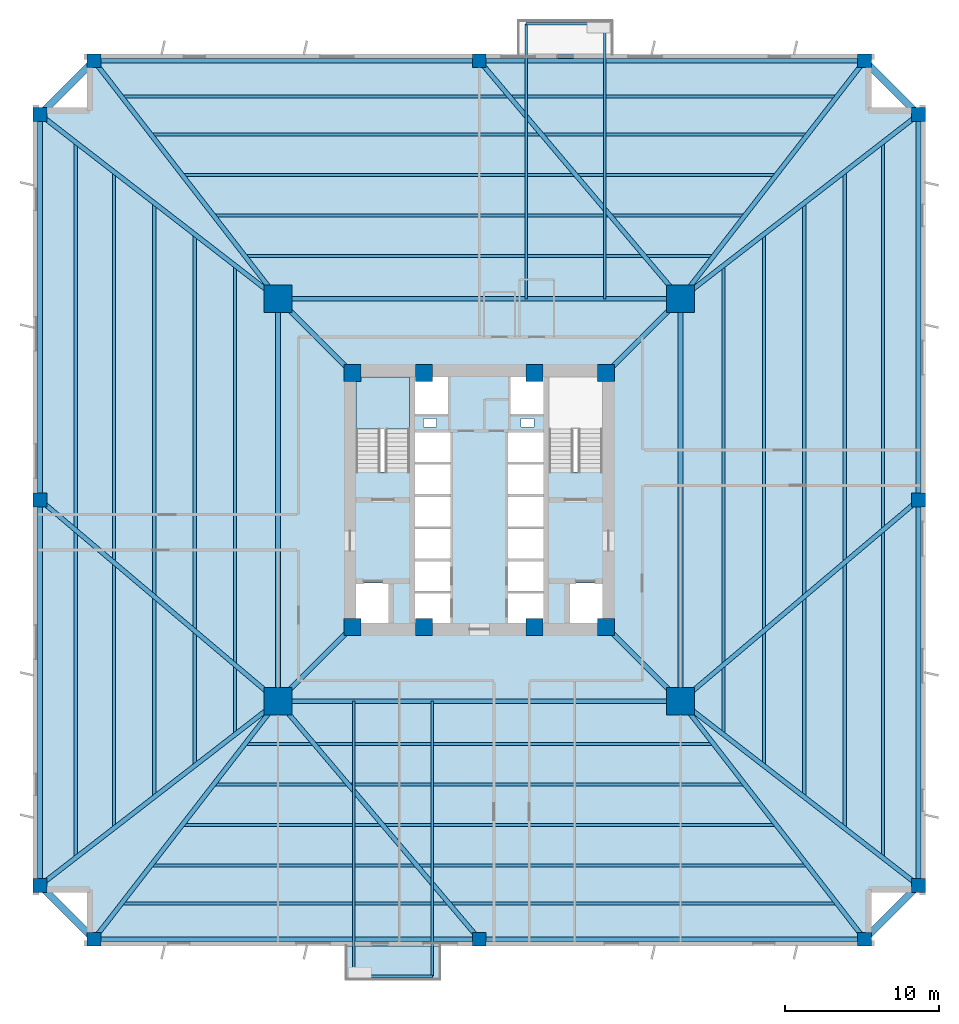
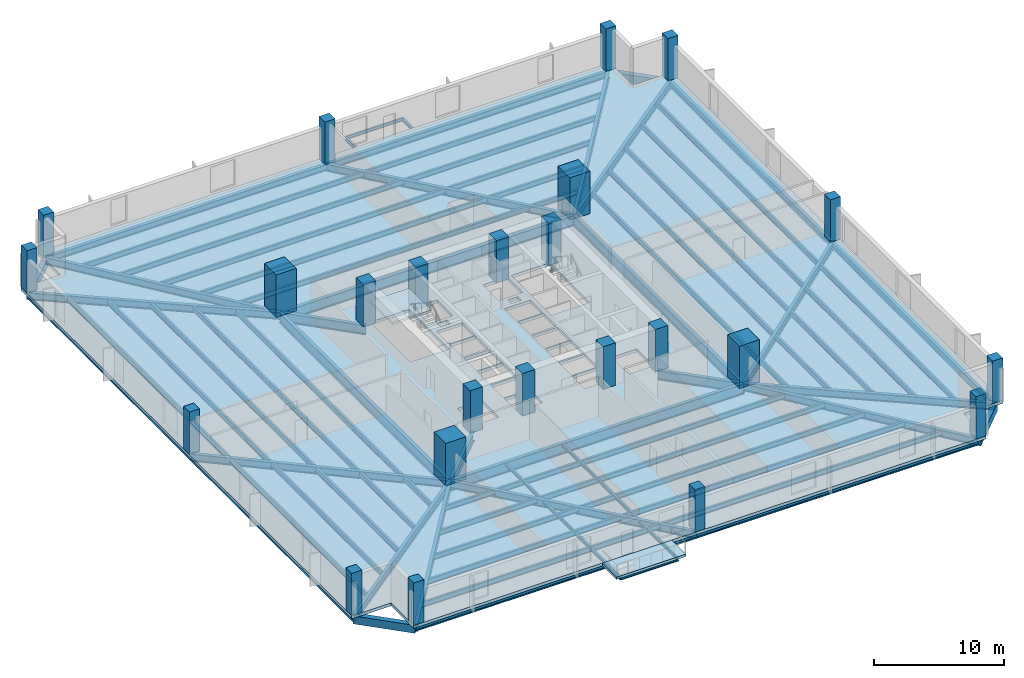
# One storey, part 1 of 8: 58 beams, 24 columns, 3 slabs, 1 element without a shape of its own.
"""IFC4 building model written with IfcOpenShell, lengths in metres."""

from ifc_helpers import new_model, si_unit, direction, frame, origin, origin_2d, place, context, subcontext, project, spatial, polyline, rectangle, i_section, outline, extrude, source, transform, mapped, material, layer, layer_set, material_profile, profile_set, type_object, element, aggregate, save


model = new_model("IFC4")

# Units and contexts
model_context = context("Model", 3, precision=1e-05, world=origin(), true_north=direction((0.0, 1.0)))
body_context = subcontext(model_context, "Body", "Model", "MODEL_VIEW")
ifc_project = project(units=[si_unit("LENGTHUNIT", "METRE"), si_unit("AREAUNIT", "SQUARE_METRE"), si_unit("VOLUMEUNIT", "CUBIC_METRE"), si_unit("PLANEANGLEUNIT", "RADIAN"), si_unit("MASSUNIT", "GRAM", prefix="KILO"), si_unit("THERMODYNAMICTEMPERATUREUNIT", "KELVIN")], contexts=[model_context])

# Site, building, storey
site_placement = place(None, origin())
site = spatial("IfcSite", under=ifc_project, at=site_placement, CompositionType="ELEMENT")
building_placement = place(site_placement, origin())
building = spatial("IfcBuilding", under=site, at=building_placement, Name="Kosmvard Interchange Tower", CompositionType="ELEMENT")
storey_placement = place(building_placement, frame((0.0, 0.0, 54.0)))
storey = spatial("IfcBuildingStorey", under=building, at=storey_placement, Name="L12", CompositionType="ELEMENT", Elevation=54.0)

# Columns
ifc_material_1 = material(Name="Concrete C80/95", Category="concrete")
ifc_material_profile_1 = material_profile(ifc_material_1, rectangle(XDim=1.10009765625, YDim=1.10009765625, at=origin_2d()), Name="CP 1100x1100")
ifc_profile_set_1 = profile_set([ifc_material_profile_1], Name="Concrete C80/95")
column_type_1 = type_object("IfcColumnType", Name="Core Boundary Pilaster 1100x1100 C80/95", PredefinedType="PILASTER", material=ifc_profile_set_1)
shared_shape_1 = source(origin(), body_context, "Body", "SweptSolid", [
    extrude(rectangle(XDim=1.10009765625, YDim=1.10009765625, at=origin_2d()), origin(), (0.0, 0.0, 1.0), 4.0),
])
for number, where, z_axis, x_axis, name in (
    (1, (-8.25, -8.25, 0.0), (0.0, 0.0, 1.0), (1.0, 0.0, 0.0), "L12 Core Pilaster CP1"),
    (2, (8.25, -8.25, 0.0), (0.0, 0.0, 1.0), (1.0, 0.0, 0.0), "L12 Core Pilaster CP2"),
    (3, (8.25, 8.25, 0.0), (0.0, 0.0, 1.0), (1.0, 0.0, 0.0), "L12 Core Pilaster CP3"),
    (4, (-8.25, 8.25, 0.0), (0.0, 0.0, 1.0), (1.0, 0.0, 0.0), "L12 Core Pilaster CP4"),
    (5, (-3.60009765625, -8.25, 0.0), (0.0, 0.0, 1.0), (1.0, 0.0, 0.0), "L12 Core Pilaster CP5"),
    (6, (3.60009765625, -8.25, 0.0), (0.0, 0.0, 1.0), (1.0, 0.0, 0.0), "L12 Core Pilaster CP6"),
    (7, (-3.60009765625, 8.25, 0.0), (0.0, 0.0, 1.0), (1.0, 0.0, 0.0), "L12 Core Pilaster CP7"),
    (8, (3.60009765625, 8.25, 0.0), (0.0, 0.0, 1.0), (1.0, 0.0, 0.0), "L12 Core Pilaster CP8"),
):
    element("IfcColumn", number, at=place(storey_placement, frame(where, z_axis=z_axis, x_axis=x_axis)), inside=storey, type_object=column_type_1, Name=name, PredefinedType="PILASTER", context=body_context, shape_type="MappedRepresentation", body=[
        mapped(shared_shape_1, transform((0.0, 0.0, 0.0), scale=1.0)),
    ])
ifc_material_profile_2 = material_profile(ifc_material_1, rectangle(XDim=1.800048828125, YDim=1.800048828125, at=origin_2d()), Name="MC 1800x1800")
ifc_profile_set_2 = profile_set([ifc_material_profile_2], Name="Concrete C80/95")
column_type_2 = type_object("IfcColumnType", Name="Composite Mega-Column 1800x1800 C80/95", PredefinedType="COLUMN", material=ifc_profile_set_2)
shared_shape_2 = source(origin(), body_context, "Body", "SweptSolid", [
    extrude(rectangle(XDim=1.800048828125, YDim=1.800048828125, at=origin_2d()), origin(), (0.0, 0.0, 1.0), 4.0),
])
for number, where, z_axis, x_axis, name in (
    (9, (-13.0810546875, -13.0810546875, 0.0), (0.0, 0.0, 1.0), (1.0, 0.0, 0.0), "L12 Corner Mega-Column MC1"),
    (10, (13.0810546875, -13.0810546875, 0.0), (0.0, 0.0, 1.0), (1.0, 0.0, 0.0), "L12 Corner Mega-Column MC2"),
    (11, (13.0810546875, 13.0810546875, 0.0), (0.0, 0.0, 1.0), (1.0, 0.0, 0.0), "L12 Corner Mega-Column MC3"),
    (12, (-13.0810546875, 13.0810546875, 0.0), (0.0, 0.0, 1.0), (1.0, 0.0, 0.0), "L12 Corner Mega-Column MC4"),
):
    element("IfcColumn", number, at=place(storey_placement, frame(where, z_axis=z_axis, x_axis=x_axis)), inside=storey, type_object=column_type_2, Name=name, PredefinedType="COLUMN", context=body_context, shape_type="MappedRepresentation", body=[
        mapped(shared_shape_2, transform((0.0, 0.0, 0.0), scale=1.0)),
    ])
ifc_material_2 = material(Name="Concrete C60/75", Category="concrete")
ifc_material_profile_3 = material_profile(ifc_material_2, rectangle(XDim=0.89990234375, YDim=0.89990234375, at=origin_2d()), Name="TC 900x900")
ifc_profile_set_3 = profile_set([ifc_material_profile_3], Name="Concrete C60/75")
column_type_3 = type_object("IfcColumnType", Name="Zone 1 Perimeter Pier Column 900x900 C60/75", PredefinedType="COLUMN", material=ifc_profile_set_3)
shared_shape_3 = source(origin(), body_context, "Body", "SweptSolid", [
    extrude(rectangle(XDim=0.89990234375, YDim=0.89990234375, at=origin_2d()), origin(), (0.0, 0.0, 1.0), 4.0),
])
for number, where, z_axis, x_axis, name in (
    (13, (-25.050048828125, -28.550048828125, 0.0), (0.0, 0.0, 1.0), (1.0, 0.0, 0.0), "L12 Perimeter Pier Column TC-S1"),
    (14, (0.0, -28.550048828125, 0.0), (0.0, 0.0, 1.0), (1.0, 0.0, 0.0), "L12 Perimeter Pier Column TC-S2"),
    (15, (25.050048828125, -28.550048828125, 0.0), (0.0, 0.0, 1.0), (1.0, 0.0, 0.0), "L12 Perimeter Pier Column TC-S3"),
    (16, (28.550048828125, -25.050048828125, 0.0), (0.0, 0.0, 1.0), (1.0, 0.0, 0.0), "L12 Perimeter Pier Column TC-E1"),
    (17, (28.550048828125, 0.0, 0.0), (0.0, 0.0, 1.0), (1.0, 0.0, 0.0), "L12 Perimeter Pier Column TC-E2"),
    (18, (28.550048828125, 25.050048828125, 0.0), (0.0, 0.0, 1.0), (1.0, 0.0, 0.0), "L12 Perimeter Pier Column TC-E3"),
    (19, (25.050048828125, 28.550048828125, 0.0), (0.0, 0.0, 1.0), (1.0, 0.0, 0.0), "L12 Perimeter Pier Column TC-N1"),
    (20, (0.0, 28.550048828125, 0.0), (0.0, 0.0, 1.0), (1.0, 0.0, 0.0), "L12 Perimeter Pier Column TC-N2"),
    (21, (-25.050048828125, 28.550048828125, 0.0), (0.0, 0.0, 1.0), (1.0, 0.0, 0.0), "L12 Perimeter Pier Column TC-N3"),
    (22, (-28.550048828125, 25.050048828125, 0.0), (0.0, 0.0, 1.0), (1.0, 0.0, 0.0), "L12 Perimeter Pier Column TC-W1"),
    (23, (-28.550048828125, 0.0, 0.0), (0.0, 0.0, 1.0), (1.0, 0.0, 0.0), "L12 Perimeter Pier Column TC-W2"),
    (24, (-28.550048828125, -25.050048828125, 0.0), (0.0, 0.0, 1.0), (1.0, 0.0, 0.0), "L12 Perimeter Pier Column TC-W3"),
):
    element("IfcColumn", number, at=place(storey_placement, frame(where, z_axis=z_axis, x_axis=x_axis)), inside=storey, type_object=column_type_3, Name=name, PredefinedType="COLUMN", context=body_context, shape_type="MappedRepresentation", body=[
        mapped(shared_shape_3, transform((0.0, 0.0, 0.0), scale=1.0)),
    ])

# Beams
ifc_material_3 = material(Name="Steel S460", Category="steel")
ifc_material_profile_4 = material_profile(ifc_material_3, i_section(OverallWidth=0.30810546875, OverallDepth=0.909912109375, WebThickness=0.02099609375, FlangeThickness=0.0400390625, FilletRadius=0.027099609375, at=origin_2d()), Name="HEM 900")
ifc_profile_set_4 = profile_set([ifc_material_profile_4], Name="Steel S460")
beam_type_1 = type_object("IfcBeamType", Name="Primary Mega-Frame Girder HEM 900 S460", PredefinedType="BEAM", material=ifc_profile_set_4)
shared_shape_4 = source(origin(), body_context, "Body", "SweptSolid", [
    extrude(i_section(OverallWidth=0.30810546875, OverallDepth=0.909912109375, WebThickness=0.02099609375, FlangeThickness=0.0400390625, FilletRadius=0.027099609375, at=origin_2d()), origin(), (0.0, 0.0, 1.0), 6.83203125),
])
for number, where, z_axis, x_axis, name in (
    (25, (-8.25, -8.25, -0.735107421875), (-0.707106781187, -0.707106781187, 0.0), (0.707106781187, -0.707106781187, 0.0), "L12 Radial Mega-Frame Girder 1"),
    (26, (8.25, -8.25, -0.735107421875), (0.707106781187, -0.707106781187, 0.0), (0.707106781187, 0.707106781187, 0.0), "L12 Radial Mega-Frame Girder 2"),
    (27, (8.25, 8.25, -0.735107421875), (0.707106781187, 0.707106781187, 0.0), (-0.707106781187, 0.707106781187, 0.0), "L12 Radial Mega-Frame Girder 3"),
    (28, (-8.25, 8.25, -0.735107421875), (-0.707106781187, 0.707106781187, 0.0), (-0.707106781187, -0.707106781187, 0.0), "L12 Radial Mega-Frame Girder 4"),
):
    element("IfcBeam", number, at=place(storey_placement, frame(where, z_axis=z_axis, x_axis=x_axis)), inside=storey, type_object=beam_type_1, Name=name, PredefinedType="BEAM", context=body_context, shape_type="MappedRepresentation", body=[
        mapped(shared_shape_4, transform((0.0, 0.0, 0.0), scale=1.0)),
    ])
ifc_material_profile_5 = material_profile(ifc_material_3, i_section(OverallWidth=0.30908203125, OverallDepth=1.008056640625, WebThickness=0.02099609375, FlangeThickness=0.0400390625, FilletRadius=0.030029296875, at=origin_2d()), Name="HEM 1000")
ifc_profile_set_5 = profile_set([ifc_material_profile_5], Name="Steel S460")
beam_type_2 = type_object("IfcBeamType", Name="Mega-Column Ring Girder HEM 1000 S460", PredefinedType="BEAM", material=ifc_profile_set_5)
shared_shape_5 = source(origin(), body_context, "Body", "SweptSolid", [
    extrude(i_section(OverallWidth=0.30908203125, OverallDepth=1.008056640625, WebThickness=0.02099609375, FlangeThickness=0.0400390625, FilletRadius=0.030029296875, at=origin_2d()), origin(), (0.0, 0.0, 1.0), 26.162109375),
])
for number, where, z_axis, x_axis, name in (
    (29, (-13.0810546875, -13.0810546875, -0.783935546875), (1.0, 0.0, 0.0), (0.0, 1.0, 0.0), "L12 Mega-Column Ring Girder 1"),
    (30, (13.0810546875, -13.0810546875, -0.783935546875), (0.0, 1.0, 0.0), (-1.0, 0.0, 0.0), "L12 Mega-Column Ring Girder 2"),
    (31, (13.0810546875, 13.0810546875, -0.783935546875), (-1.0, 0.0, 0.0), (0.0, -1.0, 0.0), "L12 Mega-Column Ring Girder 3"),
    (32, (-13.0810546875, 13.0810546875, -0.783935546875), (0.0, -1.0, 0.0), (1.0, 0.0, 0.0), "L12 Mega-Column Ring Girder 4"),
):
    element("IfcBeam", number, at=place(storey_placement, frame(where, z_axis=z_axis, x_axis=x_axis)), inside=storey, type_object=beam_type_2, Name=name, PredefinedType="BEAM", context=body_context, shape_type="MappedRepresentation", body=[
        mapped(shared_shape_5, transform((0.0, 0.0, 0.0), scale=1.0)),
    ])
ifc_material_4 = material(Name="Steel S355", Category="steel")
ifc_material_profile_6 = material_profile(ifc_material_4, i_section(OverallWidth=0.159912109375, OverallDepth=0.330078125, WebThickness=0.007568359375, FlangeThickness=0.011474609375, FilletRadius=0.01806640625, at=origin_2d()), Name="IPE 330")
ifc_profile_set_6 = profile_set([ifc_material_profile_6], Name="Steel S355")
beam_type_3 = type_object("IfcBeamType", Name="Balcony Cantilever Joist IPE 330 S355", PredefinedType="JOIST", material=ifc_profile_set_6)
shared_shape_6 = source(origin(), body_context, "Body", "SweptSolid", [
    extrude(i_section(OverallWidth=0.159912109375, OverallDepth=0.330078125, WebThickness=0.007568359375, FlangeThickness=0.011474609375, FilletRadius=0.01806640625, at=origin_2d()), origin(), (0.0, 0.0, 1.0), 17.868896484375),
])
for number, where, z_axis, x_axis, name in (
    (33, (8.14990234375, 13.0810546875, -0.445068359375), (0.0, 1.0, 0.0), (-1.0, 0.0, 0.0), "BM-L12-BJ1"),
    (34, (3.050048828125, 13.0810546875, -0.445068359375), (0.0, 1.0, 0.0), (-1.0, 0.0, 0.0), "BM-L12-BJB1"),
    (35, (-8.14990234375, -13.0810546875, -0.445068359375), (0.0, -1.0, 0.0), (1.0, 0.0, 0.0), "BM-L12-BJ2"),
    (36, (-3.050048828125, -13.0810546875, -0.445068359375), (0.0, -1.0, 0.0), (1.0, 0.0, 0.0), "BM-L12-BJB2"),
):
    element("IfcBeam", number, at=place(storey_placement, frame(where, z_axis=z_axis, x_axis=x_axis)), inside=storey, type_object=beam_type_3, Name=name, PredefinedType="JOIST", context=body_context, shape_type="MappedRepresentation", body=[
        mapped(shared_shape_6, transform((0.0, 0.0, 0.0), scale=1.0)),
    ])
ifc_material_profile_7 = material_profile(ifc_material_4, i_section(OverallWidth=0.14990234375, OverallDepth=0.300048828125, WebThickness=0.007080078125, FlangeThickness=0.0107421875, FilletRadius=0.014892578125, at=origin_2d()), Name="IPE 300")
ifc_profile_set_7 = profile_set([ifc_material_profile_7], Name="Steel S355")
beam_type_4 = type_object("IfcBeamType", Name="Balcony Edge Header Joist IPE 300 S355", PredefinedType="JOIST", material=ifc_profile_set_7)
shared_shape_7 = source(origin(), body_context, "Body", "SweptSolid", [
    extrude(i_section(OverallWidth=0.14990234375, OverallDepth=0.300048828125, WebThickness=0.007080078125, FlangeThickness=0.0107421875, FilletRadius=0.014892578125, at=origin_2d()), origin(), (0.0, 0.0, 1.0), 5.099853515625),
])
for number, where, z_axis, x_axis, name in (
    (37, (8.14990234375, 30.949951171875, -0.429931640625), (-1.0, 0.0, 0.0), (0.0, -1.0, 0.0), "BM-L12-BJH1"),
    (38, (-8.14990234375, -30.949951171875, -0.429931640625), (1.0, 0.0, 0.0), (0.0, 1.0, 0.0), "BM-L12-BJH2"),
):
    element("IfcBeam", number, at=place(storey_placement, frame(where, z_axis=z_axis, x_axis=x_axis)), inside=storey, type_object=beam_type_4, Name=name, PredefinedType="JOIST", context=body_context, shape_type="MappedRepresentation", body=[
        mapped(shared_shape_7, transform((0.0, 0.0, 0.0), scale=1.0)),
    ])
ifc_material_profile_8 = material_profile(ifc_material_4, i_section(OverallWidth=0.300048828125, OverallDepth=0.60009765625, WebThickness=0.015380859375, FlangeThickness=0.030029296875, FilletRadius=0.027099609375, at=origin_2d()), Name="HEB 600")
ifc_profile_set_8 = profile_set([ifc_material_profile_8], Name="Steel S355")
beam_type_5 = type_object("IfcBeamType", Name="Perimeter Tie Girder HEB 600 S355", PredefinedType="BEAM", material=ifc_profile_set_8)
shared_shape_8 = source(origin(), body_context, "Body", "SweptSolid", [
    extrude(i_section(OverallWidth=0.300048828125, OverallDepth=0.60009765625, WebThickness=0.015380859375, FlangeThickness=0.030029296875, FilletRadius=0.027099609375, at=origin_2d()), origin(), (0.0, 0.0, 1.0), 25.050048828125),
])
for number, where, z_axis, x_axis, name in (
    (39, (-25.050048828125, -28.550048828125, -0.580078125), (1.0, 0.0, 0.0), (0.0, 1.0, 0.0), "BM-L12-PR01"),
    (40, (0.0, -28.550048828125, -0.580078125), (1.0, 0.0, 0.0), (0.0, 1.0, 0.0), "BM-L12-PR02"),
    (41, (28.550048828125, -25.050048828125, -0.580078125), (0.0, 1.0, 0.0), (-1.0, 0.0, 0.0), "BM-L12-PR04"),
    (42, (28.550048828125, 0.0, -0.580078125), (0.0, 1.0, 0.0), (-1.0, 0.0, 0.0), "BM-L12-PR05"),
    (43, (25.050048828125, 28.550048828125, -0.580078125), (-1.0, 0.0, 0.0), (0.0, -1.0, 0.0), "BM-L12-PR07"),
    (44, (0.0, 28.550048828125, -0.580078125), (-1.0, 0.0, 0.0), (0.0, -1.0, 0.0), "BM-L12-PR08"),
    (45, (-28.550048828125, 25.050048828125, -0.580078125), (0.0, -1.0, 0.0), (1.0, 0.0, 0.0), "BM-L12-PR10"),
    (46, (-28.550048828125, 0.0, -0.580078125), (0.0, -1.0, 0.0), (1.0, 0.0, 0.0), "BM-L12-PR11"),
):
    element("IfcBeam", number, at=place(storey_placement, frame(where, z_axis=z_axis, x_axis=x_axis)), inside=storey, type_object=beam_type_5, Name=name, PredefinedType="BEAM", context=body_context, shape_type="MappedRepresentation", body=[
        mapped(shared_shape_8, transform((0.0, 0.0, 0.0), scale=1.0)),
    ])
ifc_material_profile_9 = material_profile(ifc_material_4, i_section(OverallWidth=0.300048828125, OverallDepth=0.699951171875, WebThickness=0.01708984375, FlangeThickness=0.031982421875, FilletRadius=0.027099609375, at=origin_2d()), Name="HEB 700")
ifc_profile_set_9 = profile_set([ifc_material_profile_9], Name="Steel S355")
beam_type_6 = type_object("IfcBeamType", Name="Primary Floor Girder HEB 700 S355", PredefinedType="BEAM", material=ifc_profile_set_9)
shared_shape_9 = source(origin(), body_context, "Body", "SweptSolid", [
    extrude(i_section(OverallWidth=0.300048828125, OverallDepth=0.699951171875, WebThickness=0.01708984375, FlangeThickness=0.031982421875, FilletRadius=0.027099609375, at=origin_2d()), origin(), (0.0, 0.0, 1.0), 19.558837890625),
])
for number, where, z_axis, x_axis, name in (
    (47, (-13.0810546875, -13.0810546875, -0.6298828125), (-0.611949354357, -0.79089695138, 0.0), (0.79089695138, -0.611949354357, 0.0), "BM-L12-RD01"),
    (48, (13.0810546875, -13.0810546875, -0.6298828125), (0.611949354357, -0.79089695138, 0.0), (0.79089695138, 0.611949354357, 0.0), "BM-L12-RD03"),
    (49, (13.0810546875, -13.0810546875, -0.6298828125), (0.79089695138, -0.611949354357, 0.0), (0.611949354357, 0.79089695138, 0.0), "BM-L12-RD04"),
    (50, (13.0810546875, 13.0810546875, -0.6298828125), (0.79089695138, 0.611949354357, 0.0), (-0.611949354357, 0.79089695138, 0.0), "BM-L12-RD06"),
    (51, (13.0810546875, 13.0810546875, -0.6298828125), (0.611949354357, 0.79089695138, 0.0), (-0.79089695138, 0.611949354357, 0.0), "BM-L12-RD07"),
    (52, (-13.0810546875, 13.0810546875, -0.6298828125), (-0.611949354357, 0.79089695138, 0.0), (-0.79089695138, -0.611949354357, 0.0), "BM-L12-RD09"),
    (53, (-13.0810546875, 13.0810546875, -0.6298828125), (-0.79089695138, 0.611949354357, 0.0), (-0.611949354357, -0.79089695138, 0.0), "BM-L12-RD10"),
    (54, (-13.0810546875, -13.0810546875, -0.6298828125), (-0.79089695138, -0.611949354357, 0.0), (0.611949354357, -0.79089695138, 0.0), "BM-L12-RD12"),
):
    element("IfcBeam", number, at=place(storey_placement, frame(where, z_axis=z_axis, x_axis=x_axis)), inside=storey, type_object=beam_type_6, Name=name, PredefinedType="BEAM", context=body_context, shape_type="MappedRepresentation", body=[
        mapped(shared_shape_9, transform((0.0, 0.0, 0.0), scale=1.0)),
    ])
shared_shape_10 = source(origin(), body_context, "Body", "SweptSolid", [
    extrude(i_section(OverallWidth=0.300048828125, OverallDepth=0.699951171875, WebThickness=0.01708984375, FlangeThickness=0.031982421875, FilletRadius=0.027099609375, at=origin_2d()), origin(), (0.0, 0.0, 1.0), 20.258544921875),
])
for number, where, z_axis, x_axis, name in (
    (55, (-13.0810546875, -13.0810546875, -0.6298828125), (0.645709371734, -0.763583268056, 0.0), (0.763583268056, 0.645709371734, 0.0), "BM-L12-RD02"),
    (56, (13.0810546875, -13.0810546875, -0.6298828125), (0.763583268056, 0.645709371734, 0.0), (-0.645709371734, 0.763583268056, 0.0), "BM-L12-RD05"),
    (57, (13.0810546875, 13.0810546875, -0.6298828125), (-0.645709371734, 0.763583268056, 0.0), (-0.763583268056, -0.645709371734, 0.0), "BM-L12-RD08"),
    (58, (-13.0810546875, -13.0810546875, -0.6298828125), (-0.763583268056, 0.645709371734, 0.0), (-0.645709371734, -0.763583268056, 0.0), "BM-L12-RD11"),
):
    element("IfcBeam", number, at=place(storey_placement, frame(where, z_axis=z_axis, x_axis=x_axis)), inside=storey, type_object=beam_type_6, Name=name, PredefinedType="BEAM", context=body_context, shape_type="MappedRepresentation", body=[
        mapped(shared_shape_10, transform((0.0, 0.0, 0.0), scale=1.0)),
    ])
ifc_material_5 = material(Name="Precast concrete C45/55", Category="concrete")
ifc_material_profile_10 = material_profile(ifc_material_5, rectangle(XDim=0.449951171875, YDim=0.75, at=origin_2d()), Name="SL 450x750")
ifc_profile_set_10 = profile_set([ifc_material_profile_10], Name="Precast concrete C45/55")
beam_type_7 = type_object("IfcBeamType", Name="Precast Spandrel Lintel 450x750 C45/55", PredefinedType="LINTEL", material=ifc_profile_set_10)
shared_shape_11 = source(origin(), body_context, "Body", "SweptSolid", [
    extrude(rectangle(XDim=0.449951171875, YDim=0.75, at=origin_2d()), origin(), (0.0, 0.0, 1.0), 4.94970703125),
])
for number, where, z_axis, x_axis, name in (
    (59, (25.050048828125, -28.550048828125, -0.655029296875), (0.707106781187, 0.707106781187, 0.0), (-0.707106781187, 0.707106781187, 0.0), "BM-L12-SL1"),
    (60, (28.550048828125, 25.050048828125, -0.655029296875), (-0.707106781187, 0.707106781187, 0.0), (-0.707106781187, -0.707106781187, 0.0), "BM-L12-SL2"),
    (61, (-25.050048828125, 28.550048828125, -0.655029296875), (-0.707106781187, -0.707106781187, 0.0), (0.707106781187, -0.707106781187, 0.0), "BM-L12-SL3"),
    (62, (-28.550048828125, -25.050048828125, -0.655029296875), (0.707106781187, -0.707106781187, 0.0), (0.707106781187, 0.707106781187, 0.0), "BM-L12-SL4"),
):
    element("IfcBeam", number, at=place(storey_placement, frame(where, z_axis=z_axis, x_axis=x_axis)), inside=storey, type_object=beam_type_7, Name=name, PredefinedType="LINTEL", context=body_context, shape_type="MappedRepresentation", body=[
        mapped(shared_shape_11, transform((0.0, 0.0, 0.0), scale=1.0)),
    ])
ifc_material_profile_11 = material_profile(ifc_material_4, i_section(OverallWidth=0.199951171875, OverallDepth=0.5, WebThickness=0.01025390625, FlangeThickness=0.01611328125, FilletRadius=0.02099609375, at=origin_2d()), Name="IPE 500")
ifc_profile_set_11 = profile_set([ifc_material_profile_11], Name="Steel S355")
beam_type_8 = type_object("IfcBeamType", Name="Standard Floor Joist IPE 500 S355", PredefinedType="JOIST", material=ifc_profile_set_11)
shared_shape_12 = source(origin(), body_context, "Body", "SweptSolid", [
    extrude(i_section(OverallWidth=0.199951171875, OverallDepth=0.5, WebThickness=0.01025390625, FlangeThickness=0.01611328125, FilletRadius=0.02099609375, at=origin_2d()), origin(), (0.0, 0.0, 1.0), 30.31103515625),
])
for number, where, z_axis, x_axis, name in (
    (63, (-15.155517578125, -15.865478515625, -0.530029296875), (1.0, 0.0, 0.0), (0.0, 1.0, 0.0), "BM-L12-FJ01"),
    (64, (15.865478515625, -15.155517578125, -0.530029296875), (0.0, 1.0, 0.0), (-1.0, 0.0, 0.0), "BM-L12-FJ06"),
    (65, (15.155517578125, 15.865478515625, -0.530029296875), (-1.0, 0.0, 0.0), (0.0, -1.0, 0.0), "BM-L12-FJ11"),
    (66, (-15.865478515625, 15.155517578125, -0.530029296875), (0.0, -1.0, 0.0), (1.0, 0.0, 0.0), "BM-L12-FJ16"),
):
    element("IfcBeam", number, at=place(storey_placement, frame(where, z_axis=z_axis, x_axis=x_axis)), inside=storey, type_object=beam_type_8, Name=name, PredefinedType="JOIST", context=body_context, shape_type="MappedRepresentation", body=[
        mapped(shared_shape_12, transform((0.0, 0.0, 0.0), scale=1.0)),
    ])
shared_shape_13 = source(origin(), body_context, "Body", "SweptSolid", [
    extrude(i_section(OverallWidth=0.199951171875, OverallDepth=0.5, WebThickness=0.01025390625, FlangeThickness=0.01611328125, FilletRadius=0.02099609375, at=origin_2d()), origin(), (0.0, 0.0, 1.0), 34.38037109375),
])
for number, where, z_axis, x_axis, name in (
    (67, (-17.190185546875, -18.4951171875, -0.530029296875), (1.0, 0.0, 0.0), (0.0, 1.0, 0.0), "BM-L12-FJ02"),
    (68, (18.4951171875, -17.190185546875, -0.530029296875), (0.0, 1.0, 0.0), (-1.0, 0.0, 0.0), "BM-L12-FJ07"),
    (69, (17.190185546875, 18.4951171875, -0.530029296875), (-1.0, 0.0, 0.0), (0.0, -1.0, 0.0), "BM-L12-FJ12"),
    (70, (-18.4951171875, 17.190185546875, -0.530029296875), (0.0, -1.0, 0.0), (1.0, 0.0, 0.0), "BM-L12-FJ17"),
):
    element("IfcBeam", number, at=place(storey_placement, frame(where, z_axis=z_axis, x_axis=x_axis)), inside=storey, type_object=beam_type_8, Name=name, PredefinedType="JOIST", context=body_context, shape_type="MappedRepresentation", body=[
        mapped(shared_shape_13, transform((0.0, 0.0, 0.0), scale=1.0)),
    ])
shared_shape_14 = source(origin(), body_context, "Body", "SweptSolid", [
    extrude(i_section(OverallWidth=0.199951171875, OverallDepth=0.5, WebThickness=0.01025390625, FlangeThickness=0.01611328125, FilletRadius=0.02099609375, at=origin_2d()), origin(), (0.0, 0.0, 1.0), 38.44970703125),
])
for number, where, z_axis, x_axis, name in (
    (71, (-19.224853515625, -21.125, -0.530029296875), (1.0, 0.0, 0.0), (0.0, 1.0, 0.0), "BM-L12-FJ03"),
    (72, (21.125, -19.224853515625, -0.530029296875), (0.0, 1.0, 0.0), (-1.0, 0.0, 0.0), "BM-L12-FJ08"),
    (73, (19.224853515625, 21.125, -0.530029296875), (-1.0, 0.0, 0.0), (0.0, -1.0, 0.0), "BM-L12-FJ13"),
    (74, (-21.125, 19.224853515625, -0.530029296875), (0.0, -1.0, 0.0), (1.0, 0.0, 0.0), "BM-L12-FJ18"),
):
    element("IfcBeam", number, at=place(storey_placement, frame(where, z_axis=z_axis, x_axis=x_axis)), inside=storey, type_object=beam_type_8, Name=name, PredefinedType="JOIST", context=body_context, shape_type="MappedRepresentation", body=[
        mapped(shared_shape_14, transform((0.0, 0.0, 0.0), scale=1.0)),
    ])
shared_shape_15 = source(origin(), body_context, "Body", "SweptSolid", [
    extrude(i_section(OverallWidth=0.199951171875, OverallDepth=0.5, WebThickness=0.01025390625, FlangeThickness=0.01611328125, FilletRadius=0.02099609375, at=origin_2d()), origin(), (0.0, 0.0, 1.0), 42.51904296875),
])
for number, where, z_axis, x_axis, name in (
    (75, (-21.259521484375, -23.754638671875, -0.530029296875), (1.0, 0.0, 0.0), (0.0, 1.0, 0.0), "BM-L12-FJ04"),
    (76, (23.754638671875, -21.259521484375, -0.530029296875), (0.0, 1.0, 0.0), (-1.0, 0.0, 0.0), "BM-L12-FJ09"),
    (77, (21.259521484375, 23.754638671875, -0.530029296875), (-1.0, 0.0, 0.0), (0.0, -1.0, 0.0), "BM-L12-FJ14"),
    (78, (-23.754638671875, 21.259521484375, -0.530029296875), (0.0, -1.0, 0.0), (1.0, 0.0, 0.0), "BM-L12-FJ19"),
):
    element("IfcBeam", number, at=place(storey_placement, frame(where, z_axis=z_axis, x_axis=x_axis)), inside=storey, type_object=beam_type_8, Name=name, PredefinedType="JOIST", context=body_context, shape_type="MappedRepresentation", body=[
        mapped(shared_shape_15, transform((0.0, 0.0, 0.0), scale=1.0)),
    ])
shared_shape_16 = source(origin(), body_context, "Body", "SweptSolid", [
    extrude(i_section(OverallWidth=0.199951171875, OverallDepth=0.5, WebThickness=0.01025390625, FlangeThickness=0.01611328125, FilletRadius=0.02099609375, at=origin_2d()), origin(), (0.0, 0.0, 1.0), 46.34912109375),
])
for number, where, z_axis, x_axis, name in (
    (79, (-23.174560546875, -26.229736328125, -0.530029296875), (1.0, 0.0, 0.0), (0.0, 1.0, 0.0), "BM-L12-FJ05"),
    (80, (26.229736328125, -23.174560546875, -0.530029296875), (0.0, 1.0, 0.0), (-1.0, 0.0, 0.0), "BM-L12-FJ10"),
    (81, (23.174560546875, 26.229736328125, -0.530029296875), (-1.0, 0.0, 0.0), (0.0, -1.0, 0.0), "BM-L12-FJ15"),
    (82, (-26.229736328125, 23.174560546875, -0.530029296875), (0.0, -1.0, 0.0), (1.0, 0.0, 0.0), "BM-L12-FJ20"),
):
    element("IfcBeam", number, at=place(storey_placement, frame(where, z_axis=z_axis, x_axis=x_axis)), inside=storey, type_object=beam_type_8, Name=name, PredefinedType="JOIST", context=body_context, shape_type="MappedRepresentation", body=[
        mapped(shared_shape_16, transform((0.0, 0.0, 0.0), scale=1.0)),
    ])

# Slab
ifc_material_6 = material(Name="Concrete C50/60", Category="concrete")
ifc_layer_1 = layer(ifc_material_6, 0.280029296875, Name="Concrete C50/60")
ifc_layer_set_1 = layer_set([ifc_layer_1], Name="Concrete C50/60")
slab_type_1 = type_object("IfcSlabType", Name="Low-Rise Office Composite Slab 280 C50/60", PredefinedType="FLOOR", material=ifc_layer_set_1)
slab_1_placement = place(storey_placement, frame((0.0, 0.0, -0.280029296875)))
element("IfcSlab", 83, at=slab_1_placement, inside=storey, type_object=slab_type_1, Name="L12 Structural Floor Slab", PredefinedType="FLOOR", context=body_context, shape_type="SweptSolid", body=[
    extrude(outline(polyline([(-25.5, -29.0), (25.5, -29.0), (25.5, -25.5), (29.0, -25.5), (29.0, 25.5), (25.5, 25.5), (25.5, 29.0), (-25.5, 29.0), (-25.5, 25.5), (-29.0, 25.5), (-29.0, -25.5), (-25.5, -25.5), (-25.5, -29.0)]), holes=[polyline([(-8.0, 1.8349609375), (-4.5400390625, 1.8349609375), (-4.5400390625, 8.0), (-8.0, 8.0), (-8.0, 1.8349609375)]), polyline([(4.5400390625, 1.8349609375), (8.0, 1.8349609375), (8.0, 8.0), (4.5400390625, 8.0), (4.5400390625, 1.8349609375)]), polyline([(-8.0, -8.0), (-5.800048828125, -8.0), (-5.800048828125, -5.39990234375), (-8.0, -5.39990234375), (-8.0, -8.0)]), polyline([(5.800048828125, -8.0), (8.0, -8.0), (8.0, -5.39990234375), (5.800048828125, -5.39990234375), (5.800048828125, -8.0)]), polyline([(-4.179931640625, -8.0), (-1.8798828125, -8.0), (-1.8798828125, -6.06005859375), (-4.179931640625, -6.06005859375), (-4.179931640625, -8.0)]), polyline([(-4.179931640625, -5.93994140625), (-1.8798828125, -5.93994140625), (-1.8798828125, -4.0), (-4.179931640625, -4.0), (-4.179931640625, -5.93994140625)]), polyline([(1.8798828125, -8.0), (4.179931640625, -8.0), (4.179931640625, -6.06005859375), (1.8798828125, -6.06005859375), (1.8798828125, -8.0)]), polyline([(1.8798828125, -5.93994140625), (4.179931640625, -5.93994140625), (4.179931640625, -4.0), (1.8798828125, -4.0), (1.8798828125, -5.93994140625)]), polyline([(-4.179931640625, -3.800048828125), (-1.8798828125, -3.800048828125), (-1.8798828125, -1.860107421875), (-4.179931640625, -1.860107421875), (-4.179931640625, -3.800048828125)]), polyline([(-4.179931640625, -1.739990234375), (-1.8798828125, -1.739990234375), (-1.8798828125, 0.199951171875), (-4.179931640625, 0.199951171875), (-4.179931640625, -1.739990234375)]), polyline([(1.8798828125, -3.800048828125), (4.179931640625, -3.800048828125), (4.179931640625, -1.860107421875), (1.8798828125, -1.860107421875), (1.8798828125, -3.800048828125)]), polyline([(1.8798828125, -1.739990234375), (4.179931640625, -1.739990234375), (4.179931640625, 0.199951171875), (1.8798828125, 0.199951171875), (1.8798828125, -1.739990234375)]), polyline([(-4.179931640625, 0.39990234375), (-1.8798828125, 0.39990234375), (-1.8798828125, 2.340087890625), (-4.179931640625, 2.340087890625), (-4.179931640625, 0.39990234375)]), polyline([(-4.179931640625, 2.4599609375), (-1.8798828125, 2.4599609375), (-1.8798828125, 4.39990234375), (-4.179931640625, 4.39990234375), (-4.179931640625, 2.4599609375)]), polyline([(1.8798828125, 0.39990234375), (4.179931640625, 0.39990234375), (4.179931640625, 2.340087890625), (1.8798828125, 2.340087890625), (1.8798828125, 0.39990234375)]), polyline([(1.8798828125, 2.4599609375), (4.179931640625, 2.4599609375), (4.179931640625, 4.39990234375), (1.8798828125, 4.39990234375), (1.8798828125, 2.4599609375)]), polyline([(-4.179931640625, 5.60009765625), (-2.0400390625, 5.60009765625), (-2.0400390625, 8.0), (-4.179931640625, 8.0), (-4.179931640625, 5.60009765625)]), polyline([(2.0400390625, 5.60009765625), (4.179931640625, 5.60009765625), (4.179931640625, 8.0), (2.0400390625, 8.0), (2.0400390625, 5.60009765625)]), polyline([(-3.614990234375, 4.739990234375), (-2.764892578125, 4.739990234375), (-2.764892578125, 5.2900390625), (-3.614990234375, 5.2900390625), (-3.614990234375, 4.739990234375)]), polyline([(2.715087890625, 4.739990234375), (3.56494140625, 4.739990234375), (3.56494140625, 5.2900390625), (2.715087890625, 5.2900390625), (2.715087890625, 4.739990234375)])]), origin(), (0.0, 0.0, 1.0), 0.280029296875),
])

# Stair, slab
stair_type = type_object("IfcStairType", Name="Dog-Leg Core Exit Stair H4000 C50/60", PredefinedType="HALF_TURN_STAIR", material=ifc_material_6)
stair_placement = place(storey_placement, origin())
stair = element("IfcStair", 84, at=stair_placement, inside=storey, type_object=stair_type, Name="L12 Protected Exit Stair ST-1", PredefinedType="HALF_TURN_STAIR")
ifc_layer_2 = layer(ifc_material_6, 0.199951171875, Name="Concrete C50/60")
ifc_layer_set_2 = layer_set([ifc_layer_2], Name="Concrete C50/60")
slab_type_2 = type_object("IfcSlabType", Name="Stair Half-Landing Slab 200 C50/60", PredefinedType="LANDING", material=ifc_layer_set_2)
slab_2_placement = place(storey_placement, frame((0.0, 0.0, 1.800048828125)))
slab_2 = element("IfcSlab", 85, at=slab_2_placement, type_object=slab_type_2, Name="ST-1 landing 1", PredefinedType="LANDING", context=body_context, shape_type="SweptSolid", body=[
    extrude(outline(polyline([(-4.5400390625, 4.60009765625), (-4.5400390625, 8.0), (-8.0, 8.0), (-8.0, 4.60009765625), (-4.5400390625, 4.60009765625)])), origin(), (0.0, 0.0, 1.0), 0.199951171875),
])
aggregate(stair, [slab_2])

# Slab
ifc_layer_3 = layer(ifc_material_6, 0.22998046875, Name="Concrete C50/60")
ifc_layer_set_3 = layer_set([ifc_layer_3], Name="Concrete C50/60")
slab_type_3 = type_object("IfcSlabType", Name="Tree-Planter Cantilever Balcony Slab 230 C50/60", PredefinedType="FLOOR", material=ifc_layer_set_3)
slab_3_placement = place(storey_placement, frame((0.0, 0.0, -0.22998046875)))
element("IfcSlab", 86, at=slab_3_placement, inside=storey, type_object=slab_type_3, Name="L12 Outdoor Terrace Balcony Slab BAL-L12-S", PredefinedType="FLOOR", context=body_context, shape_type="SweptSolid", body=[
    extrude(outline(polyline([(-8.699951171875, -31.199951171875), (-2.5, -31.199951171875), (-2.5, -29.0), (-8.699951171875, -29.0), (-8.699951171875, -31.199951171875)])), origin(), (0.0, 0.0, 1.0), 0.22998046875),
])

save(model, "model.ifc")
